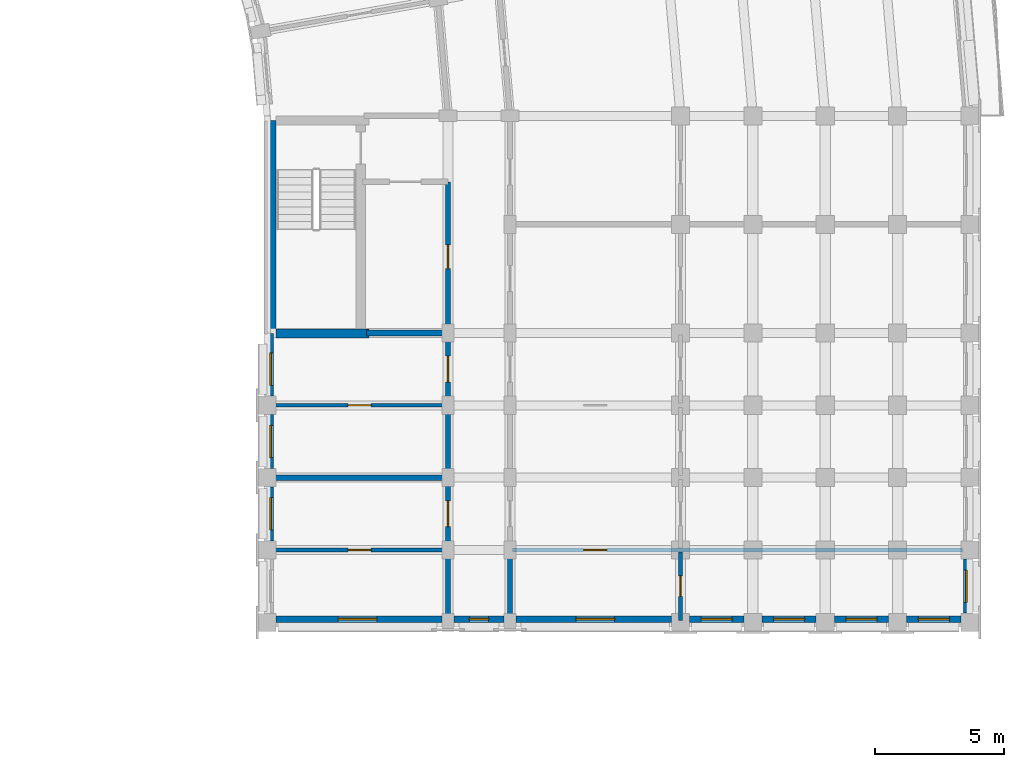
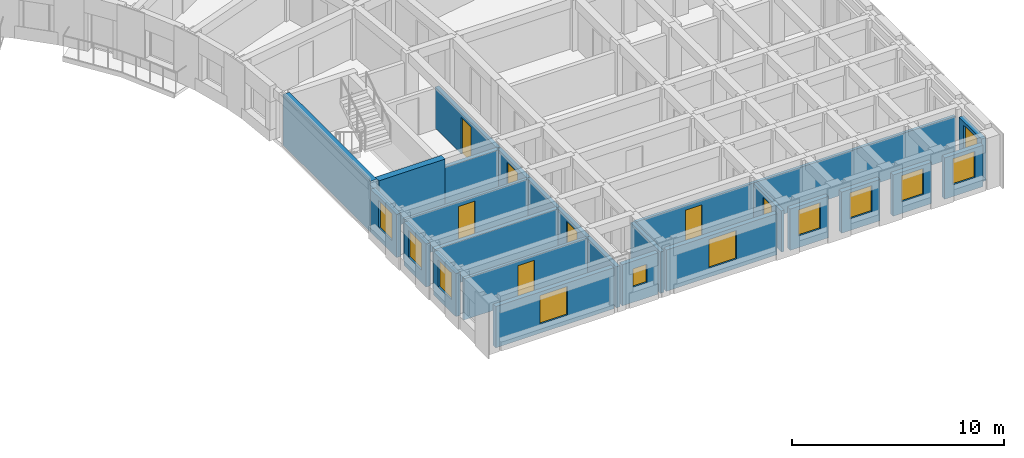
# One storey, part 34 of 57: 25 walls, 11 windows, 7 doors, 18 openings.
"""IFC4 building model written with IfcOpenShell, lengths in metres."""

import ifcopenshell
import ifcopenshell.guid

model = None  # the IFC model being written
_history = None  # IfcOwnerHistory: only IFC2X3 demands one
_inside = {}  # id of a spatial element -> (the spatial element, [elements in it])
_under = {}  # id of a project, library or spatial element -> (it, [spatial elements below it])
_declared = {}  # id of a project -> (the project, [libraries it declares])
_typed = {}  # id of a type object -> (the type object, [elements of that type])
_made_of = {}  # id of a material, layer set ... -> (it, [elements and type objects made of it])


def new_model(schema):
    """Start an empty IFC model of exactly this schema.

    Asked for "IFC4X3", IfcOpenShell would pick the latest addendum, in which some entities
    have other attributes; the version numbers below select the first issue.
    IFC2X3 requires an IfcOwnerHistory on every rooted entity: one is made here for all.
    """
    global model, _history
    if schema == "IFC4X3":
        model = ifcopenshell.file(schema_version=(4, 3, 0, 0))
    else:
        model = ifcopenshell.file(schema=schema)
    _inside.clear()
    _under.clear()
    _declared.clear()
    _typed.clear()
    _made_of.clear()
    _history = None
    if model.schema == "IFC2X3":
        org = make("IfcOrganization", Name="unknown")
        user = make(
            "IfcPersonAndOrganization",
            ThePerson=make("IfcPerson", FamilyName="unknown"),
            TheOrganization=org,
        )
        app = make(
            "IfcApplication",
            ApplicationDeveloper=org,
            Version="unknown",
            ApplicationFullName="unknown",
            ApplicationIdentifier="unknown",
        )
        _history = make(
            "IfcOwnerHistory",
            OwningUser=user,
            OwningApplication=app,
            ChangeAction="ADDED",
            CreationDate=0,
        )
    return model


def make(cls, **values):
    """One entity of the class cls with the attributes given. An attribute that is None is left unset."""
    return model.create_entity(
        cls, **{name: value for name, value in values.items() if value is not None}
    )


def rooted(cls, **values):
    """An entity with a GlobalId (a new one), such as an element, a storey or a relation."""
    return make(cls, GlobalId=ifcopenshell.guid.new(), OwnerHistory=_history, **values)


def si_unit(unit_type, name, prefix=None):
    """IfcSIUnit, for example si_unit("LENGTHUNIT", "METRE", prefix="MILLI")."""
    return make("IfcSIUnit", UnitType=unit_type, Prefix=prefix, Name=name)


def assignment(units):
    """IfcUnitAssignment: the units of a project."""
    return None if units is None else make("IfcUnitAssignment", Units=units)


def point(xyz):
    """IfcCartesianPoint."""
    return None if xyz is None else make("IfcCartesianPoint", Coordinates=xyz)


def direction(xyz):
    """IfcDirection."""
    return None if xyz is None else make("IfcDirection", DirectionRatios=xyz)


def frame(location, z_axis=None, x_axis=None):
    """IfcAxis2Placement3D, a coordinate frame: its origin and axes. An axis left out is left unset."""
    return make(
        "IfcAxis2Placement3D",
        Location=point(location),
        Axis=direction(z_axis),
        RefDirection=direction(x_axis),
    )


def frame_2d(location, x_axis=None):
    """IfcAxis2Placement2D, a coordinate frame in the plane: its origin and x axis."""
    return make(
        "IfcAxis2Placement2D", Location=point(location), RefDirection=direction(x_axis)
    )


def origin():
    """The frame at (0, 0, 0) with its axes left unset."""
    return frame((0.0, 0.0, 0.0))


def place(relative_to, where):
    """IfcLocalPlacement: puts the frame where relative to a parent placement (None: the world)."""
    return make(
        "IfcLocalPlacement", PlacementRelTo=relative_to, RelativePlacement=where
    )


def context(
    kind, dimensions, precision=None, world=None, true_north=None, identifier=None
):
    """IfcGeometricRepresentationContext, for example the 3D "Model" context."""
    return make(
        "IfcGeometricRepresentationContext",
        ContextIdentifier=identifier,
        ContextType=kind,
        CoordinateSpaceDimension=dimensions,
        Precision=precision,
        WorldCoordinateSystem=world,
        TrueNorth=true_north,
    )


def subcontext(parent, identifier, kind, view, scale=None):
    """IfcGeometricRepresentationSubContext, for example "Body" below "Model"."""
    return make(
        "IfcGeometricRepresentationSubContext",
        ContextIdentifier=identifier,
        ContextType=kind,
        ParentContext=parent,
        TargetScale=scale,
        TargetView=view,
    )


def project(units=None, contexts=None):
    """IfcProject with its units and contexts."""
    return rooted(
        "IfcProject",
        Name="project",
        RepresentationContexts=contexts,
        UnitsInContext=assignment(units),
    )


def spatial(cls, under=None, at=None, **own):
    """A site, building, storey or space (cls), placed at a placement, below another one or the project."""
    s = rooted(cls, ObjectPlacement=at, **own)
    if under is not None:
        _under.setdefault(under.id(), (under, []))[1].append(s)
    return s


def profile(cls, at=None, kind="AREA", **sizes):
    """A parametric profile (cls). Its sizes go by their IFC names, for example OverallWidth=200.0."""
    return make(cls, ProfileType=kind, Position=at, **sizes)


def rectangle(**sizes):
    """IfcRectangleProfileDef."""
    return profile("IfcRectangleProfileDef", **sizes)


def extrude(swept, where, along, depth):
    """IfcExtrudedAreaSolid: the profile swept, set in the frame where, extruded along a direction by depth."""
    return make(
        "IfcExtrudedAreaSolid",
        SweptArea=swept,
        Position=where,
        ExtrudedDirection=direction(along),
        Depth=depth,
    )


def shape(context_of_items, identifier, shape_type, items):
    """IfcShapeRepresentation: the items that make up one representation, for example the "Body"."""
    return make(
        "IfcShapeRepresentation",
        ContextOfItems=context_of_items,
        RepresentationIdentifier=identifier,
        RepresentationType=shape_type,
        Items=items,
    )


def material(Name=None, Category=None):
    """IfcMaterial."""
    return make("IfcMaterial", Name=Name, Category=Category)


def layer(
    of_material, thickness, ventilated=None, Name=None, Category=None, Priority=None
):
    """IfcMaterialLayer: one layer of a wall or slab, of a material (None: an air gap)."""
    return make(
        "IfcMaterialLayer",
        Material=of_material,
        LayerThickness=thickness,
        IsVentilated=ventilated,
        Name=Name,
        Category=Category,
        Priority=Priority,
    )


def layer_set(layers, Name=None):
    """IfcMaterialLayerSet."""
    return make("IfcMaterialLayerSet", MaterialLayers=layers, LayerSetName=Name)


def made_of(thing, what):
    """Note that an element or type object is made of a material, layer set ...; save() writes the relation."""
    if what is not None:
        _made_of.setdefault(what.id(), (what, []))[1].append(thing)
    return thing


def type_object(cls, material=None, **own):
    """A type object (cls), such as IfcWallType, which elements share."""
    return made_of(rooted(cls, **own), material)


def element(
    cls,
    number,
    at=None,
    inside=None,
    cuts=None,
    type_object=None,
    material=None,
    context=None,
    identifier="Body",
    shape_type=None,
    held_by="IfcProductDefinitionShape",
    body=None,
    shapes=None,
    **own,
):
    """One element of the class cls, such as IfcWall. Its Tag is "e" and its number.

    at: its placement. inside: the storey or other place that contains it. cuts: it is an
    opening in that element (IfcRelVoidsElement). A single representation is given by context,
    identifier, shape_type and body (its items); several are given by shapes. held_by: the class
    of the entity that holds the representations. save() writes the other relations.
    """
    e = rooted(cls, Tag="e%d" % number, ObjectPlacement=at, **own)
    if body is not None:
        shapes = [shape(context, identifier, shape_type, body)]
    if shapes is not None:
        e.Representation = make(held_by, Representations=shapes)
    if inside is not None:
        _inside.setdefault(inside.id(), (inside, []))[1].append(e)
    if cuts is not None:
        rooted(
            "IfcRelVoidsElement", RelatingBuildingElement=cuts, RelatedOpeningElement=e
        )
    if type_object is not None:
        _typed.setdefault(type_object.id(), (type_object, []))[1].append(e)
    return made_of(e, material)


def fill(opening, filler):
    """IfcRelFillsElement: the door or window that sits in an opening."""
    return rooted(
        "IfcRelFillsElement",
        RelatingOpeningElement=opening,
        RelatedBuildingElement=filler,
    )


def aggregate(whole, parts):
    """IfcRelAggregates: a whole, such as a stair, and the parts it consists of."""
    return rooted("IfcRelAggregates", RelatingObject=whole, RelatedObjects=parts)


def save(model, path):
    """Write the relations noted so far, then the file.

    IfcRelAggregates (storeys below a building ...), IfcRelContainedInSpatialStructure (elements
    in a storey), IfcRelDefinesByType, IfcRelAssociatesMaterial and IfcRelDeclares: one each for
    every whole, place, type object, material and project.
    """
    for whole, parts in _under.values():
        aggregate(whole, parts)
    for where, things in _inside.values():
        rooted(
            "IfcRelContainedInSpatialStructure",
            RelatedElements=things,
            RelatingStructure=where,
        )
    for kind, things in _typed.values():
        rooted("IfcRelDefinesByType", RelatedObjects=things, RelatingType=kind)
    for what, things in _made_of.values():
        rooted("IfcRelAssociatesMaterial", RelatedObjects=things, RelatingMaterial=what)
    for by, libraries in _declared.values():
        rooted("IfcRelDeclares", RelatingContext=by, RelatedDefinitions=libraries)
    model.write(path)


model = new_model("IFC4")

# Units and contexts
model_context = context("Model", 3, precision=1e-05, world=origin(), true_north=direction((0.0, 1.0)))
body_context = subcontext(model_context, "Body", "Model", "MODEL_VIEW")
ifc_project = project(units=[si_unit("LENGTHUNIT", "METRE"), si_unit("AREAUNIT", "SQUARE_METRE"), si_unit("VOLUMEUNIT", "CUBIC_METRE"), si_unit("PLANEANGLEUNIT", "RADIAN"), si_unit("MASSUNIT", "GRAM", prefix="KILO")], contexts=[model_context])

# Site, building, storey
site_placement = place(None, origin())
site = spatial("IfcSite", under=ifc_project, at=site_placement, CompositionType="ELEMENT")
building_placement = place(site_placement, origin())
building = spatial("IfcBuilding", under=site, at=building_placement, Name="Kiranvali Square Residences", CompositionType="ELEMENT")
storey_placement = place(building_placement, frame((0.0, 0.0, 24.449951171875)))
storey = spatial("IfcBuildingStorey", under=building, at=storey_placement, Name="L07", CompositionType="ELEMENT", Elevation=24.449951171875)

# Wall, opening, door
ifc_material_1 = material(Name="Autoclaved aerated concrete blockwork masonry", Category="masonry")
ifc_layer_1 = layer(ifc_material_1, 0.199951171875)
ifc_layer_set_1 = layer_set([ifc_layer_1], Name="Autoclaved aerated concrete blockwork masonry")
wall_type_1 = type_object("IfcWallType", Name="WL-COR-200", PredefinedType="STANDARD", material=ifc_layer_set_1)
wall_1_placement = place(storey_placement, frame((145.60009765625, 85.25, 0.0), z_axis=(0.0, 0.0, 1.0), x_axis=(0.0, -1.0, 0.0)))
wall_1 = element("IfcWall", 1, at=wall_1_placement, inside=storey, type_object=wall_type_1, Name="L07 architectural wall WL-L07-B-S3-COR", PredefinedType="STANDARD", context=body_context, shape_type="SweptSolid", body=[
    extrude(rectangle(XDim=5.800048828125, YDim=0.199951171875, at=frame_2d((2.89990234375, 0.0))), origin(), (0.0, 0.0, 1.0), 2.3720703125),
])
opening_1_placement = place(wall_1_placement, frame((2.43994140625, 0.0, 0.0)))
opening_1 = element("IfcOpeningElement", 2, at=opening_1_placement, cuts=wall_1, Name="Opening FD-SVC-120", PredefinedType="OPENING", context=body_context, shape_type="SweptSolid", body=[
    extrude(rectangle(XDim=0.919921875, YDim=2.10009765625, at=frame_2d((0.4599609375, 1.050048828125))), frame((0.0, 0.10986328125, 0.0), z_axis=(0.0, -1.0, 0.0), x_axis=(1.0, 0.0, 0.0)), (0.0, 0.0, 1.0), 0.219970703125),
])
ifc_material_2 = material(Name="Fire-rated acoustic hardwood and mineral-core door assembly", Category="wood")
door_type_1 = type_object("IfcDoorType", Name="DR-SVC-900", OperationType="NOTDEFINED", PredefinedType="DOOR", material=ifc_material_2)
door_1_placement = place(opening_1_placement, frame((0.919921875, 0.0, 0.0), z_axis=(0.0, 0.0, 1.0), x_axis=(-1.0, 0.0, 0.0)))
door_1 = element("IfcDoor", 3, at=door_1_placement, inside=storey, type_object=door_type_1, Name="L07 door DR-L07-1396 (DR-SVC-900)", OperationType="SINGLE_SWING_RIGHT", OverallHeight=2.10009765625, OverallWidth=0.919921875, PredefinedType="DOOR", context=body_context, shape_type="SweptSolid", body=[
    extrude(rectangle(XDim=0.919921875, YDim=2.10009765625, at=frame_2d((0.4599609375, 1.050048828125))), frame((0.0, 0.02490234375, 0.0), z_axis=(0.0, -1.0, 0.0), x_axis=(1.0, 0.0, 0.0)), (0.0, 0.0, 1.0), 0.050048828125),
])
fill(opening_1, door_1)

wall_2_placement = place(storey_placement, frame((145.60009765625, 79.39990234375, 0.0), z_axis=(0.0, 0.0, 1.0), x_axis=(0.0, -1.0, 0.0)))
wall_2 = element("IfcWall", 4, at=wall_2_placement, inside=storey, type_object=wall_type_1, Name="L07 architectural wall WL-L07-B-A2CI-0", PredefinedType="STANDARD", context=body_context, shape_type="SweptSolid", body=[
    extrude(rectangle(XDim=2.7998046875, YDim=0.199951171875, at=frame_2d((1.39990234375, 0.0))), origin(), (0.0, 0.0, 1.0), 2.3720703125),
])
opening_2_placement = place(wall_2_placement, frame((0.89990234375, 0.0, 0.0)))
opening_2 = element("IfcOpeningElement", 5, at=opening_2_placement, cuts=wall_2, Name="Opening FD-APT-60", PredefinedType="OPENING", context=body_context, shape_type="SweptSolid", body=[
    extrude(rectangle(XDim=1.0, YDim=2.14990234375, at=frame_2d((0.5, 1.074951171875))), frame((0.0, 0.10986328125, 0.0), z_axis=(0.0, -1.0, 0.0), x_axis=(1.0, 0.0, 0.0)), (0.0, 0.0, 1.0), 0.219970703125),
])
door_type_2 = type_object("IfcDoorType", Name="DR-APT-1000", OperationType="NOTDEFINED", PredefinedType="DOOR", material=ifc_material_2)
door_2_placement = place(opening_2_placement, origin())
door_2 = element("IfcDoor", 6, at=door_2_placement, inside=storey, type_object=door_type_2, Name="L07 door DR-L07-1439 (DR-APT-1000)", OperationType="SINGLE_SWING_LEFT", OverallHeight=2.14990234375, OverallWidth=1.0, PredefinedType="DOOR", context=body_context, shape_type="SweptSolid", body=[
    extrude(rectangle(XDim=1.0, YDim=2.14990234375, at=frame_2d((0.5, 1.074951171875))), frame((0.0, 0.02490234375, 0.0), z_axis=(0.0, -1.0, 0.0), x_axis=(1.0, 0.0, 0.0)), (0.0, 0.0, 1.0), 0.050048828125),
])
fill(opening_2, door_2)

# Wall
wall_3_placement = place(storey_placement, frame((145.60009765625, 76.60009765625, 0.0), z_axis=(0.0, 0.0, 1.0), x_axis=(0.0, -1.0, 0.0)))
element("IfcWall", 7, at=wall_3_placement, inside=storey, type_object=wall_type_1, Name="L07 architectural wall WL-L07-B-A2CI-1", PredefinedType="STANDARD", context=body_context, shape_type="SweptSolid", body=[
    extrude(rectangle(XDim=2.800048828125, YDim=0.199951171875, at=frame_2d((1.39990234375, 0.0))), origin(), (0.0, 0.0, 1.0), 2.3720703125),
])

# Wall, opening, door
wall_4_placement = place(storey_placement, frame((145.60009765625, 73.800048828125, 0.0), z_axis=(0.0, 0.0, 1.0), x_axis=(0.0, -1.0, 0.0)))
wall_4 = element("IfcWall", 8, at=wall_4_placement, inside=storey, type_object=wall_type_1, Name="L07 architectural wall WL-L07-B-A2CI-2", PredefinedType="STANDARD", context=body_context, shape_type="SweptSolid", body=[
    extrude(rectangle(XDim=2.800048828125, YDim=0.199951171875, at=frame_2d((1.39990234375, 0.0))), origin(), (0.0, 0.0, 1.0), 2.3720703125),
])
opening_3_placement = place(wall_4_placement, frame((0.89990234375, 0.0, 0.0)))
opening_3 = element("IfcOpeningElement", 9, at=opening_3_placement, cuts=wall_4, Name="Opening FD-APT-60", PredefinedType="OPENING", context=body_context, shape_type="SweptSolid", body=[
    extrude(rectangle(XDim=1.0, YDim=2.14990234375, at=frame_2d((0.5, 1.074951171875))), frame((0.0, 0.10986328125, 0.0), z_axis=(0.0, -1.0, 0.0), x_axis=(1.0, 0.0, 0.0)), (0.0, 0.0, 1.0), 0.219970703125),
])
door_3_placement = place(opening_3_placement, origin())
door_3 = element("IfcDoor", 10, at=door_3_placement, inside=storey, type_object=door_type_2, Name="L07 door DR-L07-1445 (DR-APT-1000)", OperationType="SINGLE_SWING_LEFT", OverallHeight=2.14990234375, OverallWidth=1.0, PredefinedType="DOOR", context=body_context, shape_type="SweptSolid", body=[
    extrude(rectangle(XDim=1.0, YDim=2.14990234375, at=frame_2d((0.5, 1.074951171875))), frame((0.0, 0.02490234375, 0.0), z_axis=(0.0, -1.0, 0.0), x_axis=(1.0, 0.0, 0.0)), (0.0, 0.0, 1.0), 0.050048828125),
])
fill(opening_3, door_3)

# Walls
for number, where, z_axis, x_axis, name in (
    (11, (145.60009765625, 71.0, 0.0), (0.0, 0.0, 1.0), (0.0, -1.0, 0.0), "L07 architectural wall WL-L07-B-A2CI-3"),
    (12, (148.0, 71.0, 0.0), (0.0, 0.0, 1.0), (0.0, -1.0, 0.0), "L07 architectural wall WL-L07-B-A2CO-3"),
):
    element("IfcWall", number, at=place(storey_placement, frame(where, z_axis=z_axis, x_axis=x_axis)), inside=storey, type_object=wall_type_1, Name=name, PredefinedType="STANDARD", context=body_context, shape_type="SweptSolid", body=[
        extrude(rectangle(XDim=2.800048828125, YDim=0.199951171875, at=frame_2d((1.39990234375, 0.0))), origin(), (0.0, 0.0, 1.0), 2.3720703125),
    ])
ifc_layer_2 = layer(ifc_material_1, 0.219970703125)
ifc_layer_set_2 = layer_set([ifc_layer_2], Name="Autoclaved aerated concrete blockwork masonry")
wall_type_2 = type_object("IfcWallType", Name="WL-DEM-220", PredefinedType="STANDARD", material=ifc_layer_set_2)
wall_5_placement = place(storey_placement, frame((142.449951171875, 79.39990234375, 0.0), z_axis=(0.0, 0.0, 1.0), x_axis=(1.0, 0.0, 0.0)))
element("IfcWall", 13, at=wall_5_placement, inside=storey, type_object=wall_type_2, Name="L07 architectural wall WL-L07-B-A2TI-0", PredefinedType="STANDARD", context=body_context, shape_type="SweptSolid", body=[
    extrude(rectangle(XDim=3.10009765625, YDim=0.219970703125, at=frame_2d((1.550048828125, 0.0))), origin(), (0.0, 0.0, 1.0), 2.3720703125),
])
wall_6_placement = place(storey_placement, frame((138.800048828125, 73.800048828125, 0.0), z_axis=(0.0, 0.0, 1.0), x_axis=(1.0, 0.0, 0.0)))
element("IfcWall", 14, at=wall_6_placement, inside=storey, type_object=wall_type_2, Name="L07 architectural wall WL-L07-B-A2TI-2", PredefinedType="STANDARD", context=body_context, shape_type="SweptSolid", body=[
    extrude(rectangle(XDim=6.75, YDim=0.219970703125, at=frame_2d((3.375, 0.0))), origin(), (0.0, 0.0, 1.0), 2.3720703125),
])

# Wall, opening, window
ifc_material_3 = material(Name="Breathable lime-rendered clay brick masonry", Category="masonry")
ifc_layer_3 = layer(ifc_material_3, 0.25)
ifc_layer_set_3 = layer_set([ifc_layer_3], Name="Breathable lime-rendered clay brick masonry")
wall_type_3 = type_object("IfcWallType", Name="WL-EXT-250", PredefinedType="STANDARD", material=ifc_layer_set_3)
wall_7_placement = place(storey_placement, frame((165.675048828125, 70.646484375, 0.0), z_axis=(0.0, 0.0, 1.0), x_axis=(0.0, -1.0, 0.0)))
wall_7 = element("IfcWall", 15, at=wall_7_placement, inside=storey, type_object=wall_type_3, Name="L07 exterior wall B-L07-A2O-5", PredefinedType="STANDARD", context=body_context, shape_type="SweptSolid", body=[
    extrude(rectangle(XDim=2.093017578125, YDim=0.25, at=frame_2d((1.04638671875, 0.0))), origin(), (0.0, 0.0, 1.0), 2.47216796875),
])
opening_4_placement = place(wall_7_placement, frame((0.42138671875, 0.0, 0.721923828125)))
opening_4 = element("IfcOpeningElement", 16, at=opening_4_placement, cuts=wall_7, Name="Opening W-19", PredefinedType="OPENING", context=body_context, shape_type="SweptSolid", body=[
    extrude(rectangle(XDim=1.25, YDim=1.550048828125, at=frame_2d((0.625, 0.77490234375))), frame((0.0, 0.135009765625, 0.0), z_axis=(0.0, -1.0, 0.0), x_axis=(1.0, 0.0, 0.0)), (0.0, 0.0, 1.0), 0.27001953125),
])
ifc_material_4 = material(Name="Solar-control low-e double glazing", Category="glass")
window_type_1 = type_object("IfcWindowType", Name="WIN-GDN-1250x1550", PartitioningType="SINGLE_PANEL", PredefinedType="WINDOW", material=ifc_material_4)
window_1_placement = place(opening_4_placement, origin())
window_1 = element("IfcWindow", 17, at=window_1_placement, inside=storey, type_object=window_type_1, Name="L07 recessed window B-L07-A2O-5", OverallHeight=1.550048828125, OverallWidth=1.25, PartitioningType="SINGLE_PANEL", PredefinedType="WINDOW", context=body_context, shape_type="SweptSolid", body=[
    extrude(rectangle(XDim=1.25, YDim=1.550048828125, at=frame_2d((0.625, 0.77490234375))), frame((0.0, 0.030029296875, 0.0), z_axis=(0.0, -1.0, 0.0), x_axis=(1.0, 0.0, 0.0)), (0.0, 0.0, 1.0), 0.06005859375),
])
fill(opening_4, window_1)

wall_8_placement = place(storey_placement, frame((138.72509765625, 79.37158203125, 0.0), z_axis=(0.0, 0.0, 1.0), x_axis=(0.0, -1.0, 0.0)))
wall_8 = element("IfcWall", 18, at=wall_8_placement, inside=storey, type_object=wall_type_3, Name="L07 exterior wall B-L07-A2I-0", PredefinedType="STANDARD", context=body_context, shape_type="SweptSolid", body=[
    extrude(rectangle(XDim=2.41796875, YDim=0.25, at=frame_2d((1.208984375, 0.0))), origin(), (0.0, 0.0, 1.0), 2.47216796875),
])
opening_5_placement = place(wall_8_placement, frame((0.74658203125, 0.0, 0.721923828125)))
opening_5 = element("IfcOpeningElement", 19, at=opening_5_placement, cuts=wall_8, Name="Opening W-19", PredefinedType="OPENING", context=body_context, shape_type="SweptSolid", body=[
    extrude(rectangle(XDim=1.25, YDim=1.550048828125, at=frame_2d((0.625, 0.77490234375))), frame((0.0, 0.135009765625, 0.0), z_axis=(0.0, -1.0, 0.0), x_axis=(1.0, 0.0, 0.0)), (0.0, 0.0, 1.0), 0.27001953125),
])
window_2_placement = place(opening_5_placement, origin())
window_2 = element("IfcWindow", 20, at=window_2_placement, inside=storey, type_object=window_type_1, Name="L07 recessed window B-L07-A2I-0", OverallHeight=1.550048828125, OverallWidth=1.25, PartitioningType="SINGLE_PANEL", PredefinedType="WINDOW", context=body_context, shape_type="SweptSolid", body=[
    extrude(rectangle(XDim=1.25, YDim=1.550048828125, at=frame_2d((0.625, 0.77490234375))), frame((0.0, 0.030029296875, 0.0), z_axis=(0.0, -1.0, 0.0), x_axis=(1.0, 0.0, 0.0)), (0.0, 0.0, 1.0), 0.06005859375),
])
fill(opening_5, window_2)

wall_9_placement = place(storey_placement, frame((138.72509765625, 76.24658203125, 0.0), z_axis=(0.0, 0.0, 1.0), x_axis=(0.0, -1.0, 0.0)))
wall_9 = element("IfcWall", 21, at=wall_9_placement, inside=storey, type_object=wall_type_3, Name="L07 exterior wall B-L07-A2I-1", PredefinedType="STANDARD", context=body_context, shape_type="SweptSolid", body=[
    extrude(rectangle(XDim=2.093017578125, YDim=0.25, at=frame_2d((1.04638671875, 0.0))), origin(), (0.0, 0.0, 1.0), 2.47216796875),
])
opening_6_placement = place(wall_9_placement, frame((0.42138671875, 0.0, 0.721923828125)))
opening_6 = element("IfcOpeningElement", 22, at=opening_6_placement, cuts=wall_9, Name="Opening W-19", PredefinedType="OPENING", context=body_context, shape_type="SweptSolid", body=[
    extrude(rectangle(XDim=1.25, YDim=1.550048828125, at=frame_2d((0.625, 0.77490234375))), frame((0.0, 0.135009765625, 0.0), z_axis=(0.0, -1.0, 0.0), x_axis=(1.0, 0.0, 0.0)), (0.0, 0.0, 1.0), 0.27001953125),
])
window_3_placement = place(opening_6_placement, origin())
window_3 = element("IfcWindow", 23, at=window_3_placement, inside=storey, type_object=window_type_1, Name="L07 recessed window B-L07-A2I-1", OverallHeight=1.550048828125, OverallWidth=1.25, PartitioningType="SINGLE_PANEL", PredefinedType="WINDOW", context=body_context, shape_type="SweptSolid", body=[
    extrude(rectangle(XDim=1.25, YDim=1.550048828125, at=frame_2d((0.625, 0.77490234375))), frame((0.0, 0.030029296875, 0.0), z_axis=(0.0, -1.0, 0.0), x_axis=(1.0, 0.0, 0.0)), (0.0, 0.0, 1.0), 0.06005859375),
])
fill(opening_6, window_3)

wall_10_placement = place(storey_placement, frame((138.72509765625, 73.446533203125, 0.0), z_axis=(0.0, 0.0, 1.0), x_axis=(0.0, -1.0, 0.0)))
wall_10 = element("IfcWall", 24, at=wall_10_placement, inside=storey, type_object=wall_type_3, Name="L07 exterior wall B-L07-A2I-2", PredefinedType="STANDARD", context=body_context, shape_type="SweptSolid", body=[
    extrude(rectangle(XDim=2.093017578125, YDim=0.25, at=frame_2d((1.04638671875, 0.0))), origin(), (0.0, 0.0, 1.0), 2.47216796875),
])
opening_7_placement = place(wall_10_placement, frame((0.42138671875, 0.0, 0.721923828125)))
opening_7 = element("IfcOpeningElement", 25, at=opening_7_placement, cuts=wall_10, Name="Opening W-19", PredefinedType="OPENING", context=body_context, shape_type="SweptSolid", body=[
    extrude(rectangle(XDim=1.25, YDim=1.550048828125, at=frame_2d((0.625, 0.77490234375))), frame((0.0, 0.135009765625, 0.0), z_axis=(0.0, -1.0, 0.0), x_axis=(1.0, 0.0, 0.0)), (0.0, 0.0, 1.0), 0.27001953125),
])
window_4_placement = place(opening_7_placement, origin())
window_4 = element("IfcWindow", 26, at=window_4_placement, inside=storey, type_object=window_type_1, Name="L07 recessed window B-L07-A2I-2", OverallHeight=1.550048828125, OverallWidth=1.25, PartitioningType="SINGLE_PANEL", PredefinedType="WINDOW", context=body_context, shape_type="SweptSolid", body=[
    extrude(rectangle(XDim=1.25, YDim=1.550048828125, at=frame_2d((0.625, 0.77490234375))), frame((0.0, 0.030029296875, 0.0), z_axis=(0.0, -1.0, 0.0), x_axis=(1.0, 0.0, 0.0)), (0.0, 0.0, 1.0), 0.06005859375),
])
fill(opening_7, window_4)

wall_11_placement = place(storey_placement, frame((138.95361328125, 68.324951171875, 0.0), z_axis=(0.0, 0.0, 1.0), x_axis=(1.0, 0.0, 0.0)))
wall_11 = element("IfcWall", 27, at=wall_11_placement, inside=storey, type_object=wall_type_3, Name="L07 exterior wall B-L07-A2END-0", PredefinedType="STANDARD", context=body_context, shape_type="SweptSolid", body=[
    extrude(rectangle(XDim=6.41796875, YDim=0.25, at=frame_2d((3.208984375, 0.0))), origin(), (0.0, 0.0, 1.0), 2.3720703125),
])
opening_8_placement = place(wall_11_placement, frame((2.396484375, 0.0, 0.52197265625)))
opening_8 = element("IfcOpeningElement", 28, at=opening_8_placement, cuts=wall_11, Name="Opening W-05", PredefinedType="OPENING", context=body_context, shape_type="SweptSolid", body=[
    extrude(rectangle(XDim=1.5, YDim=1.64990234375, at=frame_2d((0.75, 0.824951171875))), frame((0.0, 0.135009765625, 0.0), z_axis=(0.0, -1.0, 0.0), x_axis=(1.0, 0.0, 0.0)), (0.0, 0.0, 1.0), 0.27001953125),
])
window_type_2 = type_object("IfcWindowType", Name="WIN-RES-1500x1650", PartitioningType="DOUBLE_PANEL_VERTICAL", PredefinedType="WINDOW", material=ifc_material_4)
window_5_placement = place(opening_8_placement, origin())
window_5 = element("IfcWindow", 29, at=window_5_placement, inside=storey, type_object=window_type_2, Name="L07 recessed window B-L07-A2END-0", OverallHeight=1.64990234375, OverallWidth=1.5, PartitioningType="DOUBLE_PANEL_VERTICAL", PredefinedType="WINDOW", context=body_context, shape_type="SweptSolid", body=[
    extrude(rectangle(XDim=1.5, YDim=1.64990234375, at=frame_2d((0.75, 0.824951171875))), frame((0.0, 0.030029296875, 0.0), z_axis=(0.0, -1.0, 0.0), x_axis=(1.0, 0.0, 0.0)), (0.0, 0.0, 1.0), 0.06005859375),
])
fill(opening_8, window_5)

wall_12_placement = place(storey_placement, frame((145.82861328125, 68.324951171875, 0.0), z_axis=(0.0, 0.0, 1.0), x_axis=(1.0, 0.0, 0.0)))
wall_12 = element("IfcWall", 30, at=wall_12_placement, inside=storey, type_object=wall_type_3, Name="L07 exterior wall B-L07-A2END-1", PredefinedType="STANDARD", context=body_context, shape_type="SweptSolid", body=[
    extrude(rectangle(XDim=1.94287109375, YDim=0.25, at=frame_2d((0.971435546875, 0.0))), origin(), (0.0, 0.0, 1.0), 2.3720703125),
])
opening_9_placement = place(wall_12_placement, frame((0.596435546875, 0.0, 0.8798828125)))
opening_9 = element("IfcOpeningElement", 31, at=opening_9_placement, cuts=wall_12, Name="Opening W-07", PredefinedType="OPENING", context=body_context, shape_type="SweptSolid", body=[
    extrude(rectangle(XDim=0.75, YDim=1.050048828125, at=frame_2d((0.375, 0.52490234375))), frame((0.0, 0.135009765625, 0.0), z_axis=(0.0, -1.0, 0.0), x_axis=(1.0, 0.0, 0.0)), (0.0, 0.0, 1.0), 0.27001953125),
])
window_type_3 = type_object("IfcWindowType", Name="WIN-WET-750x1050", PartitioningType="SINGLE_PANEL", PredefinedType="WINDOW", material=ifc_material_4)
window_6_placement = place(opening_9_placement, origin())
window_6 = element("IfcWindow", 32, at=window_6_placement, inside=storey, type_object=window_type_3, Name="L07 recessed window B-L07-A2END-1", OverallHeight=1.050048828125, OverallWidth=0.75, PartitioningType="SINGLE_PANEL", PredefinedType="WINDOW", context=body_context, shape_type="SweptSolid", body=[
    extrude(rectangle(XDim=0.75, YDim=1.050048828125, at=frame_2d((0.375, 0.52490234375))), frame((0.0, 0.030029296875, 0.0), z_axis=(0.0, -1.0, 0.0), x_axis=(1.0, 0.0, 0.0)), (0.0, 0.0, 1.0), 0.06005859375),
])
fill(opening_9, window_6)

wall_13_placement = place(storey_placement, frame((148.228515625, 68.324951171875, 0.0), z_axis=(0.0, 0.0, 1.0), x_axis=(1.0, 0.0, 0.0)))
wall_13 = element("IfcWall", 33, at=wall_13_placement, inside=storey, type_object=wall_type_3, Name="L07 exterior wall B-L07-A2END-2", PredefinedType="STANDARD", context=body_context, shape_type="SweptSolid", body=[
    extrude(rectangle(XDim=6.01806640625, YDim=0.25, at=frame_2d((3.009033203125, 0.0))), origin(), (0.0, 0.0, 1.0), 2.3720703125),
])
opening_10_placement = place(wall_13_placement, frame((2.321533203125, 0.0, 0.52197265625)))
opening_10 = element("IfcOpeningElement", 34, at=opening_10_placement, cuts=wall_13, Name="Opening W-05", PredefinedType="OPENING", context=body_context, shape_type="SweptSolid", body=[
    extrude(rectangle(XDim=1.5, YDim=1.64990234375, at=frame_2d((0.75, 0.824951171875))), frame((0.0, 0.135009765625, 0.0), z_axis=(0.0, -1.0, 0.0), x_axis=(1.0, 0.0, 0.0)), (0.0, 0.0, 1.0), 0.27001953125),
])
window_7_placement = place(opening_10_placement, origin())
window_7 = element("IfcWindow", 35, at=window_7_placement, inside=storey, type_object=window_type_2, Name="L07 recessed window B-L07-A2END-2", OverallHeight=1.64990234375, OverallWidth=1.5, PartitioningType="DOUBLE_PANEL_VERTICAL", PredefinedType="WINDOW", context=body_context, shape_type="SweptSolid", body=[
    extrude(rectangle(XDim=1.5, YDim=1.64990234375, at=frame_2d((0.75, 0.824951171875))), frame((0.0, 0.030029296875, 0.0), z_axis=(0.0, -1.0, 0.0), x_axis=(1.0, 0.0, 0.0)), (0.0, 0.0, 1.0), 0.06005859375),
])
fill(opening_10, window_7)

wall_14_placement = place(storey_placement, frame((154.95361328125, 68.324951171875, 0.0), z_axis=(0.0, 0.0, 1.0), x_axis=(1.0, 0.0, 0.0)))
wall_14 = element("IfcWall", 36, at=wall_14_placement, inside=storey, type_object=wall_type_3, Name="L07 exterior wall B-L07-A2END-3", PredefinedType="STANDARD", context=body_context, shape_type="SweptSolid", body=[
    extrude(rectangle(XDim=2.0927734375, YDim=0.25, at=frame_2d((1.04638671875, 0.0))), origin(), (0.0, 0.0, 1.0), 2.3720703125),
])
opening_11_placement = place(wall_14_placement, frame((0.446533203125, 0.0, 0.672119140625)))
opening_11 = element("IfcOpeningElement", 37, at=opening_11_placement, cuts=wall_14, Name="Opening W-06", PredefinedType="OPENING", context=body_context, shape_type="SweptSolid", body=[
    extrude(rectangle(XDim=1.199951171875, YDim=1.5, at=frame_2d((0.60009765625, 0.75))), frame((0.0, 0.135009765625, 0.0), z_axis=(0.0, -1.0, 0.0), x_axis=(1.0, 0.0, 0.0)), (0.0, 0.0, 1.0), 0.27001953125),
])
window_type_4 = type_object("IfcWindowType", Name="WIN-RES-1200x1500", PartitioningType="SINGLE_PANEL", PredefinedType="WINDOW", material=ifc_material_4)
window_8_placement = place(opening_11_placement, origin())
window_8 = element("IfcWindow", 38, at=window_8_placement, inside=storey, type_object=window_type_4, Name="L07 recessed window B-L07-A2END-3", OverallHeight=1.5, OverallWidth=1.199951171875, PartitioningType="SINGLE_PANEL", PredefinedType="WINDOW", context=body_context, shape_type="SweptSolid", body=[
    extrude(rectangle(XDim=1.199951171875, YDim=1.5, at=frame_2d((0.60009765625, 0.75))), frame((0.0, 0.030029296875, 0.0), z_axis=(0.0, -1.0, 0.0), x_axis=(1.0, 0.0, 0.0)), (0.0, 0.0, 1.0), 0.06005859375),
])
fill(opening_11, window_8)

wall_15_placement = place(storey_placement, frame((157.75341796875, 68.324951171875, 0.0), z_axis=(0.0, 0.0, 1.0), x_axis=(1.0, 0.0, 0.0)))
wall_15 = element("IfcWall", 39, at=wall_15_placement, inside=storey, type_object=wall_type_3, Name="L07 exterior wall B-L07-A2END-4", PredefinedType="STANDARD", context=body_context, shape_type="SweptSolid", body=[
    extrude(rectangle(XDim=2.093017578125, YDim=0.25, at=frame_2d((1.04638671875, 0.0))), origin(), (0.0, 0.0, 1.0), 2.3720703125),
])
opening_12_placement = place(wall_15_placement, frame((0.446533203125, 0.0, 0.672119140625)))
opening_12 = element("IfcOpeningElement", 40, at=opening_12_placement, cuts=wall_15, Name="Opening W-06", PredefinedType="OPENING", context=body_context, shape_type="SweptSolid", body=[
    extrude(rectangle(XDim=1.199951171875, YDim=1.5, at=frame_2d((0.60009765625, 0.75))), frame((0.0, 0.135009765625, 0.0), z_axis=(0.0, -1.0, 0.0), x_axis=(1.0, 0.0, 0.0)), (0.0, 0.0, 1.0), 0.27001953125),
])
window_9_placement = place(opening_12_placement, origin())
window_9 = element("IfcWindow", 41, at=window_9_placement, inside=storey, type_object=window_type_4, Name="L07 recessed window B-L07-A2END-4", OverallHeight=1.5, OverallWidth=1.199951171875, PartitioningType="SINGLE_PANEL", PredefinedType="WINDOW", context=body_context, shape_type="SweptSolid", body=[
    extrude(rectangle(XDim=1.199951171875, YDim=1.5, at=frame_2d((0.60009765625, 0.75))), frame((0.0, 0.030029296875, 0.0), z_axis=(0.0, -1.0, 0.0), x_axis=(1.0, 0.0, 0.0)), (0.0, 0.0, 1.0), 0.06005859375),
])
fill(opening_12, window_9)

wall_16_placement = place(storey_placement, frame((160.553466796875, 68.324951171875, 0.0), z_axis=(0.0, 0.0, 1.0), x_axis=(1.0, 0.0, 0.0)))
wall_16 = element("IfcWall", 42, at=wall_16_placement, inside=storey, type_object=wall_type_3, Name="L07 exterior wall B-L07-A2END-5", PredefinedType="STANDARD", context=body_context, shape_type="SweptSolid", body=[
    extrude(rectangle(XDim=2.093017578125, YDim=0.25, at=frame_2d((1.04638671875, 0.0))), origin(), (0.0, 0.0, 1.0), 2.3720703125),
])
opening_13_placement = place(wall_16_placement, frame((0.446533203125, 0.0, 0.672119140625)))
opening_13 = element("IfcOpeningElement", 43, at=opening_13_placement, cuts=wall_16, Name="Opening W-06", PredefinedType="OPENING", context=body_context, shape_type="SweptSolid", body=[
    extrude(rectangle(XDim=1.199951171875, YDim=1.5, at=frame_2d((0.60009765625, 0.75))), frame((0.0, 0.135009765625, 0.0), z_axis=(0.0, -1.0, 0.0), x_axis=(1.0, 0.0, 0.0)), (0.0, 0.0, 1.0), 0.27001953125),
])
window_10_placement = place(opening_13_placement, origin())
window_10 = element("IfcWindow", 44, at=window_10_placement, inside=storey, type_object=window_type_4, Name="L07 recessed window B-L07-A2END-5", OverallHeight=1.5, OverallWidth=1.199951171875, PartitioningType="SINGLE_PANEL", PredefinedType="WINDOW", context=body_context, shape_type="SweptSolid", body=[
    extrude(rectangle(XDim=1.199951171875, YDim=1.5, at=frame_2d((0.60009765625, 0.75))), frame((0.0, 0.030029296875, 0.0), z_axis=(0.0, -1.0, 0.0), x_axis=(1.0, 0.0, 0.0)), (0.0, 0.0, 1.0), 0.06005859375),
])
fill(opening_13, window_10)

wall_17_placement = place(storey_placement, frame((163.353515625, 68.324951171875, 0.0), z_axis=(0.0, 0.0, 1.0), x_axis=(1.0, 0.0, 0.0)))
wall_17 = element("IfcWall", 45, at=wall_17_placement, inside=storey, type_object=wall_type_3, Name="L07 exterior wall B-L07-A2END-6", PredefinedType="STANDARD", context=body_context, shape_type="SweptSolid", body=[
    extrude(rectangle(XDim=2.093017578125, YDim=0.25, at=frame_2d((1.04638671875, 0.0))), origin(), (0.0, 0.0, 1.0), 2.3720703125),
])
opening_14_placement = place(wall_17_placement, frame((0.446533203125, 0.0, 0.672119140625)))
opening_14 = element("IfcOpeningElement", 46, at=opening_14_placement, cuts=wall_17, Name="Opening W-06", PredefinedType="OPENING", context=body_context, shape_type="SweptSolid", body=[
    extrude(rectangle(XDim=1.199951171875, YDim=1.5, at=frame_2d((0.60009765625, 0.75))), frame((0.0, 0.135009765625, 0.0), z_axis=(0.0, -1.0, 0.0), x_axis=(1.0, 0.0, 0.0)), (0.0, 0.0, 1.0), 0.27001953125),
])
window_11_placement = place(opening_14_placement, origin())
window_11 = element("IfcWindow", 47, at=window_11_placement, inside=storey, type_object=window_type_4, Name="L07 recessed window B-L07-A2END-6", OverallHeight=1.5, OverallWidth=1.199951171875, PartitioningType="SINGLE_PANEL", PredefinedType="WINDOW", context=body_context, shape_type="SweptSolid", body=[
    extrude(rectangle(XDim=1.199951171875, YDim=1.5, at=frame_2d((0.60009765625, 0.75))), frame((0.0, 0.030029296875, 0.0), z_axis=(0.0, -1.0, 0.0), x_axis=(1.0, 0.0, 0.0)), (0.0, 0.0, 1.0), 0.06005859375),
])
fill(opening_14, window_11)

# Wall, opening, door
ifc_material_5 = material(Name="Acoustic gypsum board drylined partition", Category="gypsum")
ifc_layer_4 = layer(ifc_material_5, 0.14990234375)
ifc_layer_set_4 = layer_set([ifc_layer_4], Name="Acoustic gypsum board drylined partition")
wall_type_4 = type_object("IfcWallType", Name="WL-PRT-150", PredefinedType="PARTITIONING", material=ifc_layer_set_4)
wall_18_placement = place(storey_placement, frame((138.800048828125, 76.60009765625, 0.0), z_axis=(0.0, 0.0, 1.0), x_axis=(1.0, 0.0, 0.0)))
wall_18 = element("IfcWall", 48, at=wall_18_placement, inside=storey, type_object=wall_type_4, Name="L07 architectural wall WL-L07-B-A2TI-1", PredefinedType="PARTITIONING", context=body_context, shape_type="SweptSolid", body=[
    extrude(rectangle(XDim=6.75, YDim=0.14990234375, at=frame_2d((3.375, 0.0))), origin(), (0.0, 0.0, 1.0), 2.3720703125),
])
opening_15_placement = place(wall_18_placement, frame((2.925048828125, 0.0, 0.0)))
opening_15 = element("IfcOpeningElement", 49, at=opening_15_placement, cuts=wall_18, Name="Opening ID-1", PredefinedType="OPENING", context=body_context, shape_type="SweptSolid", body=[
    extrude(rectangle(XDim=0.89990234375, YDim=2.10009765625, at=frame_2d((0.449951171875, 1.050048828125))), frame((0.0, 0.0849609375, 0.0), z_axis=(0.0, -1.0, 0.0), x_axis=(1.0, 0.0, 0.0)), (0.0, 0.0, 1.0), 0.169921875),
])
ifc_material_6 = material(Name="Solid seasoned teak hardwood joinery", Category="wood")
door_type_3 = type_object("IfcDoorType", Name="DR-INT-900", OperationType="NOTDEFINED", PredefinedType="DOOR", material=ifc_material_6)
door_4_placement = place(opening_15_placement, origin())
door_4 = element("IfcDoor", 50, at=door_4_placement, inside=storey, type_object=door_type_3, Name="L07 door DR-L07-1443 (DR-INT-900)", OperationType="SINGLE_SWING_LEFT", OverallHeight=2.10009765625, OverallWidth=0.89990234375, PredefinedType="DOOR", context=body_context, shape_type="SweptSolid", body=[
    extrude(rectangle(XDim=0.89990234375, YDim=2.10009765625, at=frame_2d((0.449951171875, 1.050048828125))), frame((0.0, 0.02490234375, 0.0), z_axis=(0.0, -1.0, 0.0), x_axis=(1.0, 0.0, 0.0)), (0.0, 0.0, 1.0), 0.050048828125),
])
fill(opening_15, door_4)

wall_19_placement = place(storey_placement, frame((138.800048828125, 71.0, 0.0), z_axis=(0.0, 0.0, 1.0), x_axis=(1.0, 0.0, 0.0)))
wall_19 = element("IfcWall", 51, at=wall_19_placement, inside=storey, type_object=wall_type_4, Name="L07 architectural wall WL-L07-B-A2TI-3", PredefinedType="PARTITIONING", context=body_context, shape_type="SweptSolid", body=[
    extrude(rectangle(XDim=6.75, YDim=0.14990234375, at=frame_2d((3.375, 0.0))), origin(), (0.0, 0.0, 1.0), 2.3720703125),
])
opening_16_placement = place(wall_19_placement, frame((2.925048828125, 0.0, 0.0)))
opening_16 = element("IfcOpeningElement", 52, at=opening_16_placement, cuts=wall_19, Name="Opening ID-1", PredefinedType="OPENING", context=body_context, shape_type="SweptSolid", body=[
    extrude(rectangle(XDim=0.89990234375, YDim=2.10009765625, at=frame_2d((0.449951171875, 1.050048828125))), frame((0.0, 0.0849609375, 0.0), z_axis=(0.0, -1.0, 0.0), x_axis=(1.0, 0.0, 0.0)), (0.0, 0.0, 1.0), 0.169921875),
])
door_5_placement = place(opening_16_placement, origin())
door_5 = element("IfcDoor", 53, at=door_5_placement, inside=storey, type_object=door_type_3, Name="L07 door DR-L07-1449 (DR-INT-900)", OperationType="SINGLE_SWING_LEFT", OverallHeight=2.10009765625, OverallWidth=0.89990234375, PredefinedType="DOOR", context=body_context, shape_type="SweptSolid", body=[
    extrude(rectangle(XDim=0.89990234375, YDim=2.10009765625, at=frame_2d((0.449951171875, 1.050048828125))), frame((0.0, 0.02490234375, 0.0), z_axis=(0.0, -1.0, 0.0), x_axis=(1.0, 0.0, 0.0)), (0.0, 0.0, 1.0), 0.050048828125),
])
fill(opening_16, door_5)

wall_20_placement = place(storey_placement, frame((148.10009765625, 71.0, 0.0), z_axis=(0.0, 0.0, 1.0), x_axis=(1.0, 0.0, 0.0)))
wall_20 = element("IfcWall", 54, at=wall_20_placement, inside=storey, type_object=wall_type_4, Name="L07 architectural wall WL-L07-B-A2TO-3", PredefinedType="PARTITIONING", context=body_context, shape_type="SweptSolid", body=[
    extrude(rectangle(XDim=17.419921875, YDim=0.14990234375, at=frame_2d((8.7099609375, 0.0))), origin(), (0.0, 0.0, 1.0), 2.3720703125),
])
opening_17_placement = place(wall_20_placement, frame((2.75, 0.0, 0.0)))
opening_17 = element("IfcOpeningElement", 55, at=opening_17_placement, cuts=wall_20, Name="Opening ID-1", PredefinedType="OPENING", context=body_context, shape_type="SweptSolid", body=[
    extrude(rectangle(XDim=0.89990234375, YDim=2.10009765625, at=frame_2d((0.449951171875, 1.050048828125))), frame((0.0, 0.0849609375, 0.0), z_axis=(0.0, -1.0, 0.0), x_axis=(1.0, 0.0, 0.0)), (0.0, 0.0, 1.0), 0.169921875),
])
door_6_placement = place(opening_17_placement, frame((0.89990234375, 0.0, 0.0), z_axis=(0.0, 0.0, 1.0), x_axis=(-1.0, 0.0, 0.0)))
door_6 = element("IfcDoor", 56, at=door_6_placement, inside=storey, type_object=door_type_3, Name="L07 door DR-L07-1450 (DR-INT-900)", OperationType="SINGLE_SWING_RIGHT", OverallHeight=2.10009765625, OverallWidth=0.89990234375, PredefinedType="DOOR", context=body_context, shape_type="SweptSolid", body=[
    extrude(rectangle(XDim=0.89990234375, YDim=2.10009765625, at=frame_2d((0.449951171875, 1.050048828125))), frame((0.0, 0.02490234375, 0.0), z_axis=(0.0, -1.0, 0.0), x_axis=(1.0, 0.0, 0.0)), (0.0, 0.0, 1.0), 0.050048828125),
])
fill(opening_17, door_6)

# Walls
ifc_material_7 = material(Name="Concrete M45 (45 MPa)", Category="concrete")
ifc_layer_5 = layer(ifc_material_7, 0.320068359375)
ifc_layer_set_5 = layer_set([ifc_layer_5], Name="Concrete M45 (45 MPa)")
wall_type_5 = type_object("IfcWallType", Name="WL-SHR-320", PredefinedType="SHEAR", material=ifc_layer_set_5)
wall_21_placement = place(storey_placement, frame((138.77490234375, 87.625, 0.0), z_axis=(0.0, 0.0, 1.0), x_axis=(0.0, -1.0, 0.0)))
element("IfcWall", 57, at=wall_21_placement, inside=storey, type_object=wall_type_5, Name="Block B core shear wall SW-B3-OUT-L07", PredefinedType="SHEAR", context=body_context, shape_type="SweptSolid", body=[
    extrude(rectangle(XDim=8.25, YDim=0.35009765625, at=frame_2d((4.125, 0.0))), origin(), (0.0, 0.0, 1.0), 2.929931640625),
])
wall_22_placement = place(storey_placement, frame((138.949951171875, 79.375, 0.0), z_axis=(0.0, 0.0, 1.0), x_axis=(1.0, 0.0, 0.0)))
element("IfcWall", 58, at=wall_22_placement, inside=storey, type_object=wall_type_5, Name="Block B core shear wall SW-B3-FAR-L07", PredefinedType="SHEAR", context=body_context, shape_type="SweptSolid", body=[
    extrude(rectangle(XDim=3.60009765625, YDim=0.35009765625, at=frame_2d((1.800048828125, 0.0))), origin(), (0.0, 0.0, 1.0), 2.929931640625),
])

# Wall, opening, door
ifc_layer_6 = layer(ifc_material_1, 0.14990234375)
ifc_layer_set_6 = layer_set([ifc_layer_6], Name="Autoclaved aerated concrete blockwork masonry")
wall_type_6 = type_object("IfcWallType", Name="WL-WET-150", PredefinedType="PLUMBINGWALL", material=ifc_layer_set_6)
wall_23_placement = place(storey_placement, frame((154.60009765625, 70.919921875, 0.0), z_axis=(0.0, 0.0, 1.0), x_axis=(0.0, -1.0, 0.0)))
wall_23 = element("IfcWall", 59, at=wall_23_placement, inside=storey, type_object=wall_type_6, Name="L07 architectural wall WL-L07-B-A2SP-3", PredefinedType="PLUMBINGWALL", context=body_context, shape_type="SweptSolid", body=[
    extrude(rectangle(XDim=2.639892578125, YDim=0.14990234375, at=frame_2d((1.31982421875, 0.0))), origin(), (0.0, 0.0, 1.0), 2.3720703125),
])
opening_18_placement = place(wall_23_placement, frame((0.919921875, 0.0, 0.0)))
opening_18 = element("IfcOpeningElement", 60, at=opening_18_placement, cuts=wall_23, Name="Opening ID-WET", PredefinedType="OPENING", context=body_context, shape_type="SweptSolid", body=[
    extrude(rectangle(XDim=0.800048828125, YDim=2.10009765625, at=frame_2d((0.39990234375, 1.050048828125))), frame((0.0, 0.0849609375, 0.0), z_axis=(0.0, -1.0, 0.0), x_axis=(1.0, 0.0, 0.0)), (0.0, 0.0, 1.0), 0.169921875),
])
door_type_4 = type_object("IfcDoorType", Name="DR-WET-800", OperationType="NOTDEFINED", PredefinedType="DOOR", material=ifc_material_6)
door_7_placement = place(opening_18_placement, frame((0.800048828125, 0.0, 0.0), z_axis=(0.0, 0.0, 1.0), x_axis=(-1.0, 0.0, 0.0)))
door_7 = element("IfcDoor", 61, at=door_7_placement, inside=storey, type_object=door_type_4, Name="L07 door DR-L07-1448 (DR-WET-800)", OperationType="SINGLE_SWING_RIGHT", OverallHeight=2.10009765625, OverallWidth=0.800048828125, PredefinedType="DOOR", context=body_context, shape_type="SweptSolid", body=[
    extrude(rectangle(XDim=0.800048828125, YDim=2.10009765625, at=frame_2d((0.39990234375, 1.050048828125))), frame((0.0, 0.02490234375, 0.0), z_axis=(0.0, -1.0, 0.0), x_axis=(1.0, 0.0, 0.0)), (0.0, 0.0, 1.0), 0.050048828125),
])
fill(opening_18, door_7)

save(model, "model.ifc")
